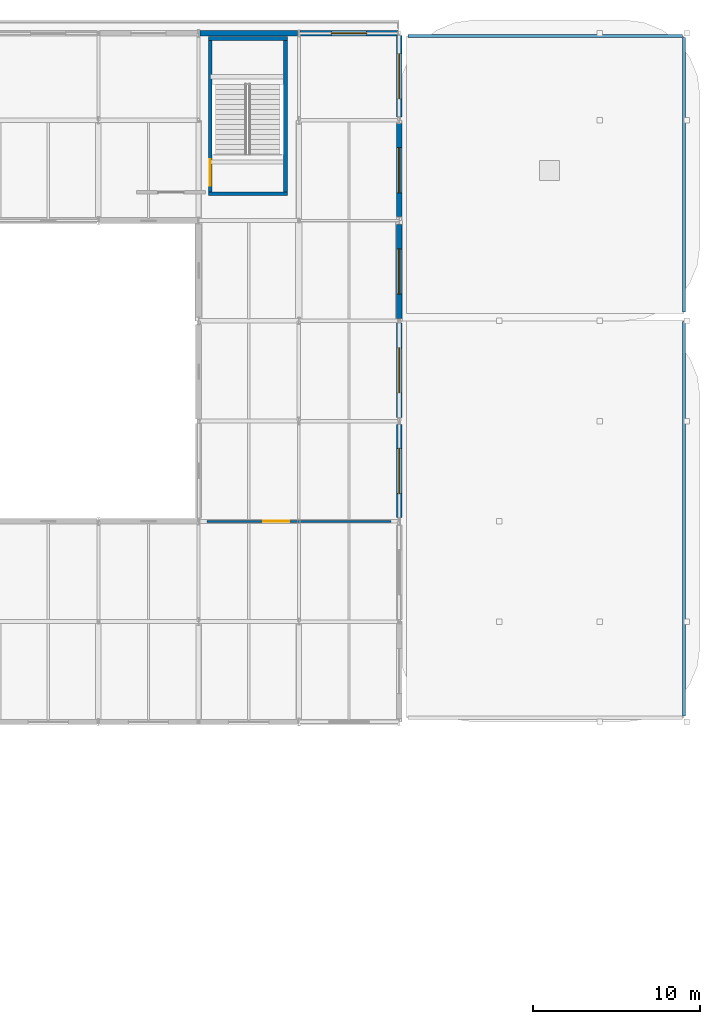
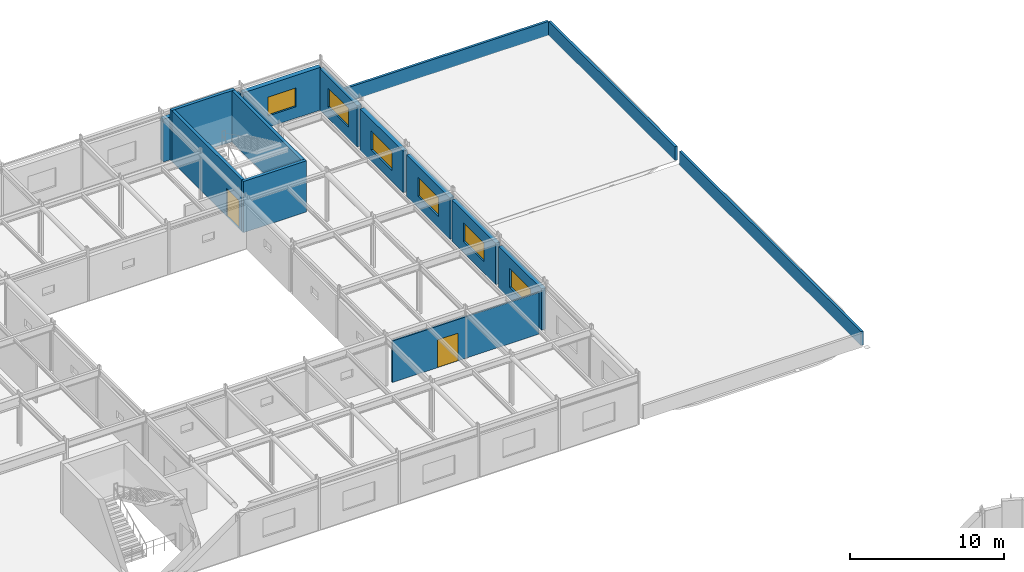
# One storey, part 96 of 116: 15 walls, 6 windows, 2 doors, 8 openings.
"""IFC4 building model written with IfcOpenShell, lengths in metres."""

from ifc_helpers import new_model, si_unit, direction, frame, frame_2d, origin, place, context, subcontext, project, spatial, rectangle, extrude, material, layer, layer_set, type_object, element, fill, save


model = new_model("IFC4")

# Units and contexts
model_context = context("Model", 3, precision=1e-05, world=origin(), true_north=direction((0.0, 1.0)))
body_context = subcontext(model_context, "Body", "Model", "MODEL_VIEW")
ifc_project = project(units=[si_unit("LENGTHUNIT", "METRE"), si_unit("AREAUNIT", "SQUARE_METRE"), si_unit("VOLUMEUNIT", "CUBIC_METRE"), si_unit("PLANEANGLEUNIT", "RADIAN"), si_unit("MASSUNIT", "GRAM", prefix="KILO")], contexts=[model_context])

# Site, building, storey
site_placement = place(None, origin())
site = spatial("IfcSite", under=ifc_project, at=site_placement, CompositionType="ELEMENT")
building_placement = place(site_placement, origin())
building = spatial("IfcBuilding", under=site, at=building_placement, Name="Varnakota Square Police Headquarters", CompositionType="ELEMENT")
storey_placement = place(building_placement, frame((0.0, 0.0, 9.300048828125)))
storey = spatial("IfcBuildingStorey", under=building, at=storey_placement, Name="L02", CompositionType="ELEMENT", Elevation=9.300048828125)

# Walls
ifc_material_1 = material(Name="Concrete M40", Category="concrete")
ifc_layer_1 = layer(ifc_material_1, 0.22998046875, Name="Concrete M40")
ifc_layer_set_1 = layer_set([ifc_layer_1], Name="Concrete M40")
wall_type_1 = type_object("IfcWallType", Name="WL-CORE-230", PredefinedType="SHEAR", material=ifc_layer_set_1)
wall_1_placement = place(storey_placement, frame((132.5849609375, 100.60009765625, 0.0), z_axis=(0.0, 0.0, 1.0), x_axis=(1.0, 0.0, 0.0)))
element("IfcWall", 1, at=wall_1_placement, inside=storey, type_object=wall_type_1, Name="Core C8 shear wall L02 S", PredefinedType="SHEAR", context=body_context, shape_type="SweptSolid", body=[
    extrude(rectangle(XDim=4.72998046875, YDim=0.22998046875, at=frame_2d((2.364990234375, 0.0))), origin(), (0.0, 0.0, 1.0), 4.06005859375),
])
wall_2_placement = place(storey_placement, frame((137.199951171875, 100.485107421875, 0.0), z_axis=(0.0, 0.0, 1.0), x_axis=(0.0, 1.0, 0.0)))
element("IfcWall", 2, at=wall_2_placement, inside=storey, type_object=wall_type_1, Name="Core C8 shear wall L02 E", PredefinedType="SHEAR", context=body_context, shape_type="SweptSolid", body=[
    extrude(rectangle(XDim=9.52978515625, YDim=0.22998046875, at=frame_2d((4.764892578125, 0.0))), origin(), (0.0, 0.0, 1.0), 4.06005859375),
])
wall_3_placement = place(storey_placement, frame((137.31494140625, 109.89990234375, 0.0), z_axis=(0.0, 0.0, 1.0), x_axis=(-1.0, 0.0, 0.0)))
element("IfcWall", 3, at=wall_3_placement, inside=storey, type_object=wall_type_1, Name="Core C8 shear wall L02 N", PredefinedType="SHEAR", context=body_context, shape_type="SweptSolid", body=[
    extrude(rectangle(XDim=4.72998046875, YDim=0.22998046875, at=frame_2d((2.364990234375, 0.0))), origin(), (0.0, 0.0, 1.0), 4.06005859375),
])

# Wall, opening, door
wall_4_placement = place(storey_placement, frame((132.699951171875, 110.014892578125, 0.0), z_axis=(0.0, 0.0, 1.0), x_axis=(0.0, -1.0, 0.0)))
wall_4 = element("IfcWall", 4, at=wall_4_placement, inside=storey, type_object=wall_type_1, Name="Core C8 shear wall L02 W", PredefinedType="SHEAR", context=body_context, shape_type="SweptSolid", body=[
    extrude(rectangle(XDim=9.52978515625, YDim=0.22998046875, at=frame_2d((4.764892578125, 0.0))), origin(), (0.0, 0.0, 1.0), 4.06005859375),
])
opening_1_placement = place(wall_4_placement, frame((7.3349609375, 0.0, 0.0)))
opening_1 = element("IfcOpeningElement", 5, at=opening_1_placement, cuts=wall_4, Name="Opening SD116", PredefinedType="OPENING", context=body_context, shape_type="SweptSolid", body=[
    extrude(rectangle(XDim=1.60009765625, YDim=2.199951171875, at=frame_2d((0.800048828125, 1.10009765625))), frame((0.0, 0.125, 0.0), z_axis=(0.0, -1.0, 0.0), x_axis=(1.0, 0.0, 0.0)), (0.0, 0.0, 1.0), 0.25),
])
ifc_material_2 = material(Name="Powder-Coated Galvanised Steel", Category="steel")
door_type_1 = type_object("IfcDoorType", Name="DR-ST-160", OperationType="NOTDEFINED", PredefinedType="DOOR", material=ifc_material_2)
door_1_placement = place(opening_1_placement, origin())
door_1 = element("IfcDoor", 6, at=door_1_placement, inside=storey, type_object=door_type_1, Name="Protected stair door SD116", OperationType="DOUBLE_DOOR_SINGLE_SWING", OverallHeight=2.199951171875, OverallWidth=1.60009765625, PredefinedType="DOOR", context=body_context, shape_type="SweptSolid", body=[
    extrude(rectangle(XDim=1.60009765625, YDim=2.199951171875, at=frame_2d((0.800048828125, 1.10009765625))), frame((0.0, 0.02490234375, 0.0), z_axis=(0.0, -1.0, 0.0), x_axis=(1.0, 0.0, 0.0)), (0.0, 0.0, 1.0), 0.050048828125),
])
fill(opening_1, door_1)

# Wall, opening, window
ifc_material_3 = material(Name="Precast concrete M40", Category="concrete")
ifc_layer_2 = layer(ifc_material_3, 0.320068359375, Name="Precast concrete M40")
ifc_layer_set_2 = layer_set([ifc_layer_2], Name="Precast concrete M40")
wall_type_2 = type_object("IfcWallType", Name="WL-EXT-320", PredefinedType="SOLIDWALL", material=ifc_layer_set_2)
wall_5_placement = place(storey_placement, frame((144.0, 81.22900390625, 0.0), z_axis=(0.0, 0.0, 1.0), x_axis=(0.0, 1.0, 0.0)))
wall_5 = element("IfcWall", 7, at=wall_5_placement, inside=storey, type_object=wall_type_2, Name="Exterior wall EW-L02-0743", PredefinedType="SOLIDWALL", context=body_context, shape_type="SweptSolid", body=[
    extrude(rectangle(XDim=5.56689453125, YDim=0.320068359375, at=frame_2d((2.783447265625, 0.0))), origin(), (0.0, 0.0, 1.0), 3.2900390625),
])
opening_2_placement = place(wall_5_placement, frame((1.43359375, 0.0, 0.89990234375)))
opening_2 = element("IfcOpeningElement", 8, at=opening_2_placement, cuts=wall_5, Name="Opening W10", PredefinedType="OPENING", context=body_context, shape_type="SweptSolid", body=[
    extrude(rectangle(XDim=2.699951171875, YDim=1.5, at=frame_2d((1.35009765625, 0.75))), frame((0.0, 0.169921875, 0.0), z_axis=(0.0, -1.0, 0.0), x_axis=(1.0, 0.0, 0.0)), (0.0, 0.0, 1.0), 0.340087890625),
])
ifc_material_4 = material(Name="Thermally Broken Aluminium Double-Glazed Window", Category="aluminium")
window_type_1 = type_object("IfcWindowType", Name="WIN-10", PartitioningType="SINGLE_PANEL", PredefinedType="WINDOW", material=ifc_material_4)
window_1_placement = place(opening_2_placement, origin())
window_1 = element("IfcWindow", 9, at=window_1_placement, inside=storey, type_object=window_type_1, Name="Window WN-L02-0243", OverallHeight=1.5, OverallWidth=2.699951171875, PartitioningType="SINGLE_PANEL", PredefinedType="WINDOW", context=body_context, shape_type="SweptSolid", body=[
    extrude(rectangle(XDim=2.699951171875, YDim=1.5, at=frame_2d((1.35009765625, 0.75))), frame((0.0, 0.030029296875, 0.0), z_axis=(0.0, -1.0, 0.0), x_axis=(1.0, 0.0, 0.0)), (0.0, 0.0, 1.0), 0.06005859375),
])
fill(opening_2, window_1)

wall_6_placement = place(storey_placement, frame((144.0, 87.2041015625, 0.0), z_axis=(0.0, 0.0, 1.0), x_axis=(0.0, 1.0, 0.0)))
wall_6 = element("IfcWall", 10, at=wall_6_placement, inside=storey, type_object=wall_type_2, Name="Exterior wall EW-L02-0744", PredefinedType="SOLIDWALL", context=body_context, shape_type="SweptSolid", body=[
    extrude(rectangle(XDim=5.6669921875, YDim=0.320068359375, at=frame_2d((2.83349609375, 0.0))), origin(), (0.0, 0.0, 1.0), 3.2900390625),
])
opening_3_placement = place(wall_6_placement, frame((1.4833984375, 0.0, 0.89990234375)))
opening_3 = element("IfcOpeningElement", 11, at=opening_3_placement, cuts=wall_6, Name="Opening W10", PredefinedType="OPENING", context=body_context, shape_type="SweptSolid", body=[
    extrude(rectangle(XDim=2.699951171875, YDim=1.5, at=frame_2d((1.35009765625, 0.75))), frame((0.0, 0.169921875, 0.0), z_axis=(0.0, -1.0, 0.0), x_axis=(1.0, 0.0, 0.0)), (0.0, 0.0, 1.0), 0.340087890625),
])
window_2_placement = place(opening_3_placement, origin())
window_2 = element("IfcWindow", 12, at=window_2_placement, inside=storey, type_object=window_type_1, Name="Window WN-L02-0244", OverallHeight=1.5, OverallWidth=2.699951171875, PartitioningType="SINGLE_PANEL", PredefinedType="WINDOW", context=body_context, shape_type="SweptSolid", body=[
    extrude(rectangle(XDim=2.699951171875, YDim=1.5, at=frame_2d((1.35009765625, 0.75))), frame((0.0, 0.030029296875, 0.0), z_axis=(0.0, -1.0, 0.0), x_axis=(1.0, 0.0, 0.0)), (0.0, 0.0, 1.0), 0.06005859375),
])
fill(opening_3, window_2)

wall_7_placement = place(storey_placement, frame((144.0, 93.12890625, 0.0), z_axis=(0.0, 0.0, 1.0), x_axis=(0.0, 1.0, 0.0)))
wall_7 = element("IfcWall", 13, at=wall_7_placement, inside=storey, type_object=wall_type_2, Name="Exterior wall EW-L02-0745", PredefinedType="SOLIDWALL", context=body_context, shape_type="SweptSolid", body=[
    extrude(rectangle(XDim=5.64208984375, YDim=0.320068359375, at=frame_2d((2.821044921875, 0.0))), origin(), (0.0, 0.0, 1.0), 3.2900390625),
])
opening_4_placement = place(wall_7_placement, frame((1.470947265625, 0.0, 0.89990234375)))
opening_4 = element("IfcOpeningElement", 14, at=opening_4_placement, cuts=wall_7, Name="Opening W10", PredefinedType="OPENING", context=body_context, shape_type="SweptSolid", body=[
    extrude(rectangle(XDim=2.699951171875, YDim=1.5, at=frame_2d((1.35009765625, 0.75))), frame((0.0, 0.169921875, 0.0), z_axis=(0.0, -1.0, 0.0), x_axis=(1.0, 0.0, 0.0)), (0.0, 0.0, 1.0), 0.340087890625),
])
window_3_placement = place(opening_4_placement, origin())
window_3 = element("IfcWindow", 15, at=window_3_placement, inside=storey, type_object=window_type_1, Name="Window WN-L02-0245", OverallHeight=1.5, OverallWidth=2.699951171875, PartitioningType="SINGLE_PANEL", PredefinedType="WINDOW", context=body_context, shape_type="SweptSolid", body=[
    extrude(rectangle(XDim=2.699951171875, YDim=1.5, at=frame_2d((1.35009765625, 0.75))), frame((0.0, 0.030029296875, 0.0), z_axis=(0.0, -1.0, 0.0), x_axis=(1.0, 0.0, 0.0)), (0.0, 0.0, 1.0), 0.06005859375),
])
fill(opening_4, window_3)

wall_8_placement = place(storey_placement, frame((144.0, 99.22900390625, 0.0), z_axis=(0.0, 0.0, 1.0), x_axis=(0.0, 1.0, 0.0)))
wall_8 = element("IfcWall", 16, at=wall_8_placement, inside=storey, type_object=wall_type_2, Name="Exterior wall EW-L02-0746", PredefinedType="SOLIDWALL", context=body_context, shape_type="SweptSolid", body=[
    extrude(rectangle(XDim=5.56689453125, YDim=0.320068359375, at=frame_2d((2.783447265625, 0.0))), origin(), (0.0, 0.0, 1.0), 3.2900390625),
])
opening_5_placement = place(wall_8_placement, frame((1.43359375, 0.0, 0.89990234375)))
opening_5 = element("IfcOpeningElement", 17, at=opening_5_placement, cuts=wall_8, Name="Opening W10", PredefinedType="OPENING", context=body_context, shape_type="SweptSolid", body=[
    extrude(rectangle(XDim=2.699951171875, YDim=1.5, at=frame_2d((1.35009765625, 0.75))), frame((0.0, 0.169921875, 0.0), z_axis=(0.0, -1.0, 0.0), x_axis=(1.0, 0.0, 0.0)), (0.0, 0.0, 1.0), 0.340087890625),
])
window_4_placement = place(opening_5_placement, origin())
window_4 = element("IfcWindow", 18, at=window_4_placement, inside=storey, type_object=window_type_1, Name="Window WN-L02-0246", OverallHeight=1.5, OverallWidth=2.699951171875, PartitioningType="SINGLE_PANEL", PredefinedType="WINDOW", context=body_context, shape_type="SweptSolid", body=[
    extrude(rectangle(XDim=2.699951171875, YDim=1.5, at=frame_2d((1.35009765625, 0.75))), frame((0.0, 0.030029296875, 0.0), z_axis=(0.0, -1.0, 0.0), x_axis=(1.0, 0.0, 0.0)), (0.0, 0.0, 1.0), 0.06005859375),
])
fill(opening_5, window_4)

wall_9_placement = place(storey_placement, frame((144.0, 105.2041015625, 0.0), z_axis=(0.0, 0.0, 1.0), x_axis=(0.0, 1.0, 0.0)))
wall_9 = element("IfcWall", 19, at=wall_9_placement, inside=storey, type_object=wall_type_2, Name="Exterior wall EW-L02-0747", PredefinedType="SOLIDWALL", context=body_context, shape_type="SweptSolid", body=[
    extrude(rectangle(XDim=4.866943359375, YDim=0.320068359375, at=frame_2d((2.43359375, 0.0))), origin(), (0.0, 0.0, 1.0), 3.2900390625),
])
opening_6_placement = place(wall_9_placement, frame((1.08349609375, 0.0, 0.89990234375)))
opening_6 = element("IfcOpeningElement", 20, at=opening_6_placement, cuts=wall_9, Name="Opening W10", PredefinedType="OPENING", context=body_context, shape_type="SweptSolid", body=[
    extrude(rectangle(XDim=2.699951171875, YDim=1.5, at=frame_2d((1.35009765625, 0.75))), frame((0.0, 0.169921875, 0.0), z_axis=(0.0, -1.0, 0.0), x_axis=(1.0, 0.0, 0.0)), (0.0, 0.0, 1.0), 0.340087890625),
])
window_5_placement = place(opening_6_placement, origin())
window_5 = element("IfcWindow", 21, at=window_5_placement, inside=storey, type_object=window_type_1, Name="Window WN-L02-0247", OverallHeight=1.5, OverallWidth=2.699951171875, PartitioningType="SINGLE_PANEL", PredefinedType="WINDOW", context=body_context, shape_type="SweptSolid", body=[
    extrude(rectangle(XDim=2.699951171875, YDim=1.5, at=frame_2d((1.35009765625, 0.75))), frame((0.0, 0.030029296875, 0.0), z_axis=(0.0, -1.0, 0.0), x_axis=(1.0, 0.0, 0.0)), (0.0, 0.0, 1.0), 0.06005859375),
])
fill(opening_6, window_5)

# Wall
ifc_layer_3 = layer(ifc_material_1, 0.340087890625, Name="Concrete M40")
ifc_layer_set_3 = layer_set([ifc_layer_3], Name="Concrete M40")
wall_type_3 = type_object("IfcWallType", Name="WL-EXT-340", PredefinedType="SOLIDWALL", material=ifc_layer_set_3)
wall_10_placement = place(storey_placement, frame((132.0791015625, 110.199951171875, 0.0), z_axis=(0.0, 0.0, 1.0), x_axis=(1.0, 0.0, 0.0)))
element("IfcWall", 22, at=wall_10_placement, inside=storey, type_object=wall_type_3, Name="Exterior wall EW-L02-0731", PredefinedType="SOLIDWALL", context=body_context, shape_type="SweptSolid", body=[
    extrude(rectangle(XDim=5.846923828125, YDim=0.340087890625, at=frame_2d((2.92333984375, 0.0))), origin(), (0.0, 0.0, 1.0), 3.389892578125),
])

# Wall, opening, window
wall_11_placement = place(storey_placement, frame((138.073974609375, 110.199951171875, 0.0), z_axis=(0.0, 0.0, 1.0), x_axis=(1.0, 0.0, 0.0)))
wall_11 = element("IfcWall", 23, at=wall_11_placement, inside=storey, type_object=wall_type_3, Name="Exterior wall EW-L02-0732", PredefinedType="SOLIDWALL", context=body_context, shape_type="SweptSolid", body=[
    extrude(rectangle(XDim=5.846923828125, YDim=0.340087890625, at=frame_2d((2.92333984375, 0.0))), origin(), (0.0, 0.0, 1.0), 3.389892578125),
])
opening_7_placement = place(wall_11_placement, frame((1.87353515625, 0.0, 0.89990234375)))
opening_7 = element("IfcOpeningElement", 24, at=opening_7_placement, cuts=wall_11, Name="Opening W08", PredefinedType="OPENING", context=body_context, shape_type="SweptSolid", body=[
    extrude(rectangle(XDim=2.10009765625, YDim=1.5, at=frame_2d((1.050048828125, 0.75))), frame((0.0, 0.179931640625, 0.0), z_axis=(0.0, -1.0, 0.0), x_axis=(1.0, 0.0, 0.0)), (0.0, 0.0, 1.0), 0.360107421875),
])
window_type_2 = type_object("IfcWindowType", Name="WIN-08", PartitioningType="SINGLE_PANEL", PredefinedType="WINDOW", material=ifc_material_4)
window_6_placement = place(opening_7_placement, origin())
window_6 = element("IfcWindow", 25, at=window_6_placement, inside=storey, type_object=window_type_2, Name="Window WN-L02-0234", OverallHeight=1.5, OverallWidth=2.10009765625, PartitioningType="SINGLE_PANEL", PredefinedType="WINDOW", context=body_context, shape_type="SweptSolid", body=[
    extrude(rectangle(XDim=2.10009765625, YDim=1.5, at=frame_2d((1.050048828125, 0.75))), frame((0.0, 0.030029296875, 0.0), z_axis=(0.0, -1.0, 0.0), x_axis=(1.0, 0.0, 0.0)), (0.0, 0.0, 1.0), 0.06005859375),
])
fill(opening_7, window_6)

# Walls
ifc_layer_4 = layer(ifc_material_3, 0.179931640625, Name="Precast concrete M40")
ifc_layer_set_4 = layer_set([ifc_layer_4], Name="Precast concrete M40")
wall_type_4 = type_object("IfcWallType", Name="WL-PAR-180", PredefinedType="PARAPET", material=ifc_layer_set_4)
for number, where, z_axis, x_axis, name in (
    (26, (161.050048828125, 93.5400390625, 0.0), (0.0, 0.0, 1.0), (0.0, 1.0, 0.0), "Roof parapet wall PAR-L02-004"),
    (27, (160.9599609375, 110.050048828125, 0.0), (0.0, 0.0, 1.0), (-1.0, 0.0, 0.0), "Roof parapet wall PAR-L02-005"),
):
    element("IfcWall", number, at=place(storey_placement, frame(where, z_axis=z_axis, x_axis=x_axis)), inside=storey, type_object=wall_type_4, Name=name, PredefinedType="PARAPET", context=body_context, shape_type="SweptSolid", body=[
        extrude(rectangle(XDim=16.419921875, YDim=0.179931640625, at=frame_2d((8.2099609375, 0.0))), origin(), (0.0, 0.0, 1.0), 1.099853515625),
    ])
wall_12_placement = place(storey_placement, frame((161.050048828125, 69.340087890625, 0.0), z_axis=(0.0, 0.0, 1.0), x_axis=(0.0, 1.0, 0.0)))
element("IfcWall", 28, at=wall_12_placement, inside=storey, type_object=wall_type_4, Name="Roof parapet wall PAR-L02-007", PredefinedType="PARAPET", context=body_context, shape_type="SweptSolid", body=[
    extrude(rectangle(XDim=23.619873046875, YDim=0.179931640625, at=frame_2d((11.81005859375, 0.0))), origin(), (0.0, 0.0, 1.0), 1.099853515625),
])

# Wall, opening, door
ifc_material_5 = material(Name="Moisture-Resistant Tile-Backed Partition", Category="gypsum")
ifc_layer_5 = layer(ifc_material_5, 0.114990234375, Name="Moisture-Resistant Tile-Backed Partition")
ifc_layer_set_5 = layer_set([ifc_layer_5], Name="Moisture-Resistant Tile-Backed Partition")
wall_type_5 = type_object("IfcWallType", Name="WL-PRT-115", PredefinedType="PARTITIONING", material=ifc_layer_set_5)
wall_13_placement = place(storey_placement, frame((143.5, 81.0, 0.0), z_axis=(0.0, 0.0, 1.0), x_axis=(-1.0, 0.0, 0.0)))
wall_13 = element("IfcWall", 29, at=wall_13_placement, inside=storey, type_object=wall_type_5, Name="Interior partition PW-L02-0152 (Law and Procedure Classroom)", PredefinedType="PARTITIONING", context=body_context, shape_type="SweptSolid", body=[
    extrude(rectangle(XDim=11.0, YDim=0.114990234375, at=frame_2d((5.5, 0.0))), origin(), (0.0, 0.0, 1.0), 3.2900390625),
])
opening_8_placement = place(wall_13_placement, frame((6.074951171875, 0.0, 0.0)))
opening_8 = element("IfcOpeningElement", 30, at=opening_8_placement, cuts=wall_13, Name="Opening D239", PredefinedType="OPENING", context=body_context, shape_type="SweptSolid", body=[
    extrude(rectangle(XDim=1.550048828125, YDim=2.199951171875, at=frame_2d((0.77490234375, 1.10009765625))), frame((0.0, 0.0673828125, 0.0), z_axis=(0.0, -1.0, 0.0), x_axis=(1.0, 0.0, 0.0)), (0.0, 0.0, 1.0), 0.135009765625),
])
ifc_material_6 = material(Name="Solid-Core Acoustic Oak Veneer Timber", Category="wood")
door_type_2 = type_object("IfcDoorType", Name="DR-BRF-155", OperationType="NOTDEFINED", PredefinedType="DOOR", material=ifc_material_6)
door_2_placement = place(opening_8_placement, origin())
door_2 = element("IfcDoor", 31, at=door_2_placement, inside=storey, type_object=door_type_2, Name="Room door D239 (Law and Procedure Classroom)", OperationType="DOUBLE_DOOR_SINGLE_SWING", OverallHeight=2.199951171875, OverallWidth=1.550048828125, PredefinedType="DOOR", context=body_context, shape_type="SweptSolid", body=[
    extrude(rectangle(XDim=1.550048828125, YDim=2.199951171875, at=frame_2d((0.77490234375, 1.10009765625))), frame((0.0, 0.02490234375, 0.0), z_axis=(0.0, -1.0, 0.0), x_axis=(1.0, 0.0, 0.0)), (0.0, 0.0, 1.0), 0.050048828125),
])
fill(opening_8, door_2)

save(model, "model.ifc")
